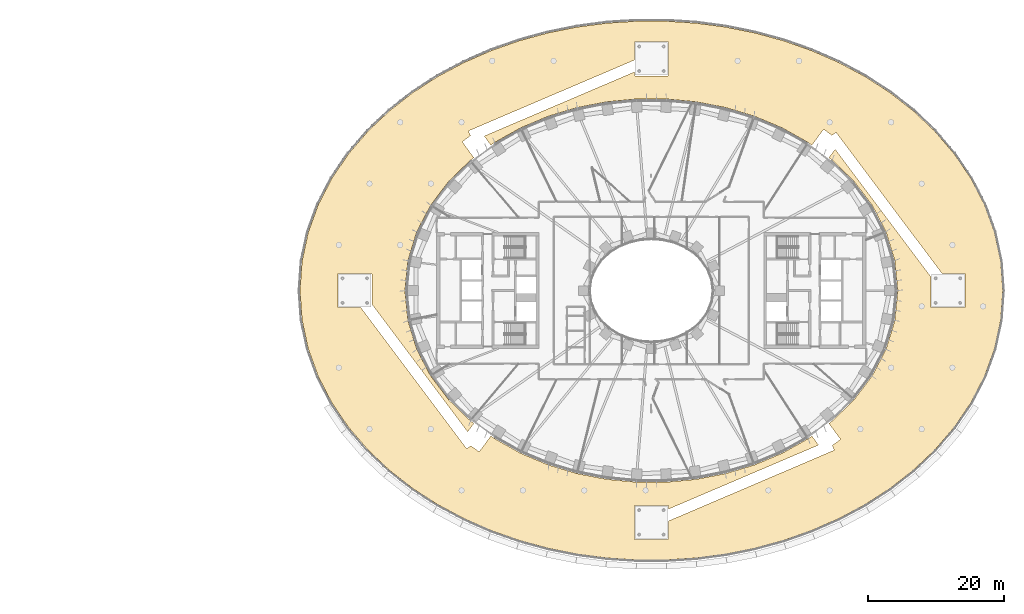
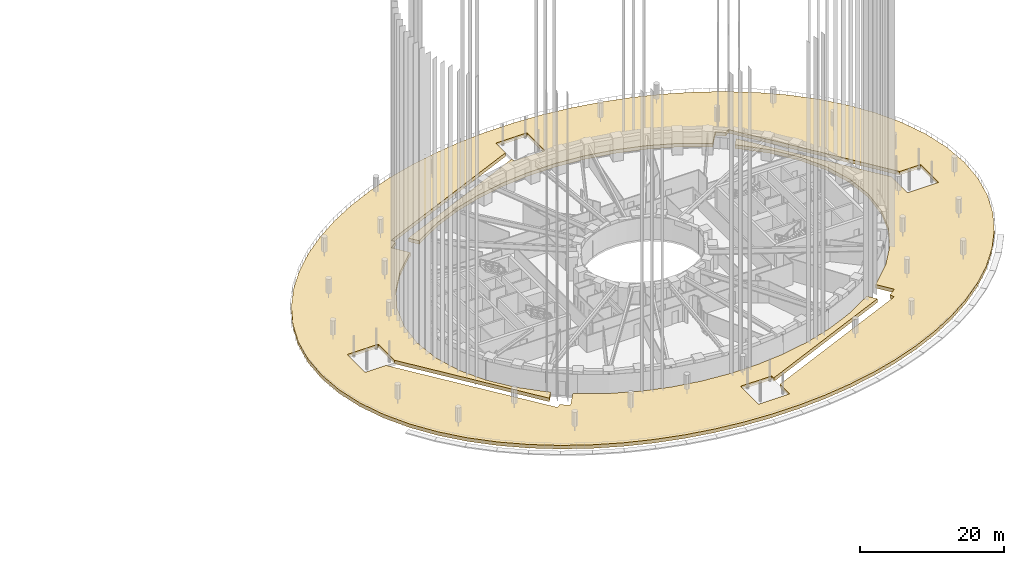
# One storey, part 25 of 30: 1 covering.
"""IFC4 building model written with IfcOpenShell, lengths in metres."""

from ifc_helpers import new_model, si_unit, direction, frame, origin, place, context, subcontext, project, spatial, polyline, outline, extrude, material, type_object, element, save


model = new_model("IFC4")

# Units and contexts
model_context = context("Model", 3, precision=1e-05, world=origin(), true_north=direction((0.0, 1.0)))
body_context = subcontext(model_context, "Body", "Model", "MODEL_VIEW")
ifc_project = project(units=[si_unit("LENGTHUNIT", "METRE"), si_unit("AREAUNIT", "SQUARE_METRE"), si_unit("VOLUMEUNIT", "CUBIC_METRE"), si_unit("PLANEANGLEUNIT", "RADIAN"), si_unit("MASSUNIT", "GRAM", prefix="KILO")], contexts=[model_context])

# Site, building, storey
site_placement = place(None, origin())
site = spatial("IfcSite", under=ifc_project, at=site_placement, CompositionType="ELEMENT")
building_placement = place(site_placement, origin())
building = spatial("IfcBuilding", under=site, at=building_placement, Name="Noorbagh Ring Tower", CompositionType="ELEMENT")
storey_placement = place(building_placement, frame((0.0, 0.0, 30.5)))
storey = spatial("IfcBuildingStorey", under=building, at=storey_placement, Name="L05", CompositionType="ELEMENT", Elevation=30.5)

# Covering
ifc_material = material(Name="Concrete C30/37 planter with soil", Category="concrete")
covering_type = type_object("IfcCoveringType", Name="ENV-PLANTER", PredefinedType="CLADDING", material=ifc_material)
covering_placement = place(storey_placement, origin())
element("IfcCovering", 1, at=covering_placement, inside=storey, type_object=covering_type, Name="PLANTER terrace bed 01", ObjectType="PLANTER", PredefinedType="CLADDING", context=body_context, shape_type="SweptSolid", body=[
    extrude(outline(polyline([(50.327880859375, -8.553955078125), (48.848388671875, -12.628662109375), (46.85595703125, -16.482666015625), (44.412109375, -20.072998046875), (41.580322265625, -23.37158203125), (38.420654296875, -26.363037109375), (34.98681640625, -29.041259765625), (31.326171875, -31.405517578125), (27.4794921875, -33.458740234375), (23.482177734375, -35.205810546875), (19.364501953125, -36.651611328125), (15.1533203125, -37.801513671875), (10.8720703125, -38.65966796875), (6.542236328125, -39.229736328125), (2.183837890625, -39.51416015625), (-2.183837890625, -39.51416015625), (-6.542236328125, -39.229736328125), (-10.8720703125, -38.65966796875), (-15.1533203125, -37.801513671875), (-19.364501953125, -36.651611328125), (-23.482177734375, -35.205810546875), (-27.4794921875, -33.458740234375), (-31.326171875, -31.405517578125), (-34.98681640625, -29.041259765625), (-38.420654296875, -26.363037109375), (-41.580322265625, -23.37158203125), (-44.412109375, -20.072998046875), (-46.85595703125, -16.482666015625), (-48.848388671875, -12.628662109375), (-50.327880859375, -8.553955078125), (-51.240234375, -4.319091796875), (-51.548828125, 0.0), (-51.240234375, 4.319091796875), (-50.327880859375, 8.553955078125), (-48.848388671875, 12.628662109375), (-46.85595703125, 16.482666015625), (-44.412109375, 20.072998046875), (-41.580322265625, 23.37158203125), (-38.420654296875, 26.363037109375), (-34.98681640625, 29.041259765625), (-31.326171875, 31.405517578125), (-27.4794921875, 33.458740234375), (-23.482177734375, 35.205810546875), (-19.364501953125, 36.651611328125), (-15.1533203125, 37.801513671875), (-10.8720703125, 38.65966796875), (-6.542236328125, 39.229736328125), (-2.183837890625, 39.51416015625), (2.183837890625, 39.51416015625), (6.542236328125, 39.229736328125), (10.8720703125, 38.65966796875), (15.1533203125, 37.801513671875), (19.364501953125, 36.651611328125), (23.482177734375, 35.205810546875), (27.4794921875, 33.458740234375), (31.326171875, 31.405517578125), (34.98681640625, 29.041259765625), (38.420654296875, 26.363037109375), (41.580322265625, 23.37158203125), (44.412109375, 20.072998046875), (46.85595703125, 16.482666015625), (48.848388671875, 12.628662109375), (50.327880859375, 8.553955078125), (51.240234375, 4.319091796875), (51.548828125, 0.0), (51.240234375, -4.319091796875), (50.327880859375, -8.553955078125)]), holes=[polyline([(34.42041015625, 8.60595703125), (32.38232421875, 12.515380859375), (29.72021484375, 16.02783203125), (26.560302734375, 19.097900390625), (26.034912109375, 19.485107421875), (26.95263671875, 20.731201171875), (41.0, 2.000244140625), (41.0, -2.39990234375), (41.021240234375, -2.46142578125), (41.05517578125, -2.4892578125), (41.10009765625, -2.5), (45.89990234375, -2.5), (45.972412109375, -2.468994140625), (46.0, -2.39990234375), (46.0, 2.39990234375), (45.981689453125, 2.45751953125), (45.94482421875, 2.4892578125), (45.89990234375, 2.5), (42.625, 2.5), (27.093505859375, 23.1962890625), (27.047119140625, 23.18896484375), (26.476806640625, 22.76123046875), (25.298828125, 23.62890625), (25.247802734375, 23.6337890625), (23.538818359375, 21.323486328125), (23.013916015625, 21.710205078125), (19.17431640625, 23.865234375), (15.1162109375, 25.57177734375), (10.9013671875, 26.840087890625), (6.581298828125, 27.679931640625), (2.2001953125, 28.097900390625), (-2.2001953125, 28.097900390625), (-6.581298828125, 27.679931640625), (-10.9013671875, 26.840087890625), (-15.1162109375, 25.57177734375), (-19.17431640625, 23.865234375), (-23.013916015625, 21.710205078125), (-23.538818359375, 21.323486328125), (-24.52490234375, 22.662353515625), (-2.5, 32.06298828125), (-2.49853515625, 31.5830078125), (-2.468994140625, 31.527587890625), (-2.412109375, 31.500732421875), (2.39990234375, 31.5), (2.468994140625, 31.527587890625), (2.5, 31.60009765625), (2.5, 36.39990234375), (2.472412109375, 36.468994140625), (2.39990234375, 36.5), (-2.412109375, 36.499267578125), (-2.472412109375, 36.468994140625), (-2.5, 36.402587890625), (-2.5, 33.802734375), (-26.8037109375, 23.427001953125), (-26.8173828125, 23.369140625), (-26.53857421875, 22.7158203125), (-27.71435546875, 21.849609375), (-27.734130859375, 21.80224609375), (-26.034912109375, 19.485107421875), (-26.560302734375, 19.097900390625), (-29.72021484375, 16.02783203125), (-32.38232421875, 12.515380859375), (-34.42041015625, 8.60595703125), (-35.708984375, 4.388427734375), (-36.15087890625, 0.0), (-35.708984375, -4.388427734375), (-34.42041015625, -8.60595703125), (-32.38232421875, -12.515380859375), (-29.72021484375, -16.02783203125), (-26.560302734375, -19.097900390625), (-26.034912109375, -19.485107421875), (-26.95263671875, -20.731201171875), (-41.0, -2.000244140625), (-41.0, 2.39990234375), (-41.031005859375, 2.472412109375), (-41.10009765625, 2.5), (-45.89990234375, 2.5), (-45.968994140625, 2.472412109375), (-46.0, 2.39990234375), (-45.999267578125, -2.412109375), (-45.968994140625, -2.472412109375), (-45.902587890625, -2.5), (-42.625, -2.5), (-27.116943359375, -23.178955078125), (-27.0888671875, -23.197509765625), (-27.047119140625, -23.18896484375), (-26.476806640625, -22.76123046875), (-25.298828125, -23.62890625), (-25.247802734375, -23.6337890625), (-23.538818359375, -21.323486328125), (-23.013916015625, -21.710205078125), (-19.17431640625, -23.865234375), (-15.1162109375, -25.57177734375), (-10.9013671875, -26.840087890625), (-6.581298828125, -27.679931640625), (-2.2001953125, -28.097900390625), (2.2001953125, -28.097900390625), (6.581298828125, -27.679931640625), (10.9013671875, -26.840087890625), (15.1162109375, -25.57177734375), (19.17431640625, -23.865234375), (23.013916015625, -21.710205078125), (23.538818359375, -21.323486328125), (24.52490234375, -22.662353515625), (2.5, -32.06298828125), (2.49853515625, -31.5830078125), (2.468994140625, -31.527587890625), (2.412109375, -31.500732421875), (-2.39990234375, -31.5), (-2.468994140625, -31.527587890625), (-2.5, -31.60009765625), (-2.5, -36.39990234375), (-2.472412109375, -36.468994140625), (-2.39990234375, -36.5), (2.412109375, -36.499267578125), (2.472412109375, -36.468994140625), (2.5, -36.402587890625), (2.5, -33.802734375), (26.813232421875, -23.416015625), (26.8173828125, -23.369140625), (26.53857421875, -22.7158203125), (27.71435546875, -21.849609375), (27.7333984375, -21.79736328125), (26.034912109375, -19.485107421875), (26.560302734375, -19.097900390625), (29.72021484375, -16.02783203125), (32.38232421875, -12.515380859375), (34.42041015625, -8.60595703125), (35.708984375, -4.388427734375), (36.15087890625, 0.0), (35.708984375, 4.388427734375), (34.42041015625, 8.60595703125)])]), origin(), (0.0, 0.0, 1.0), 0.60009765625),
])

save(model, "model.ifc")
